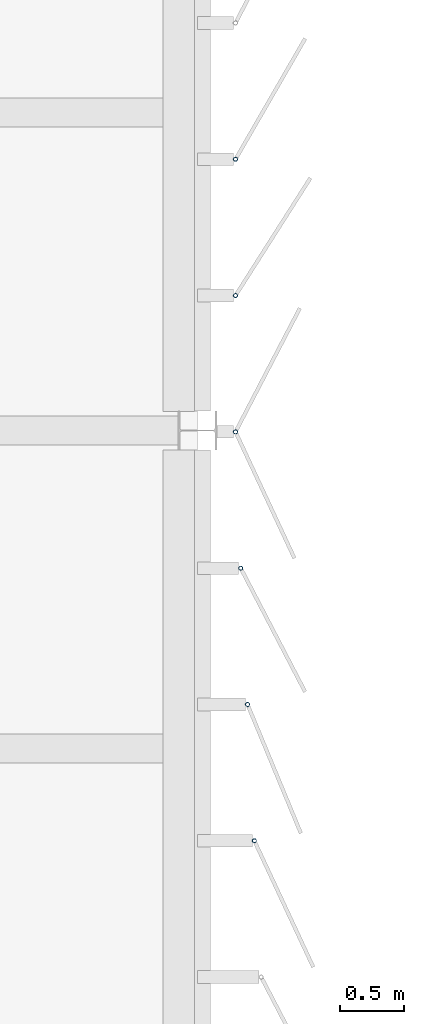
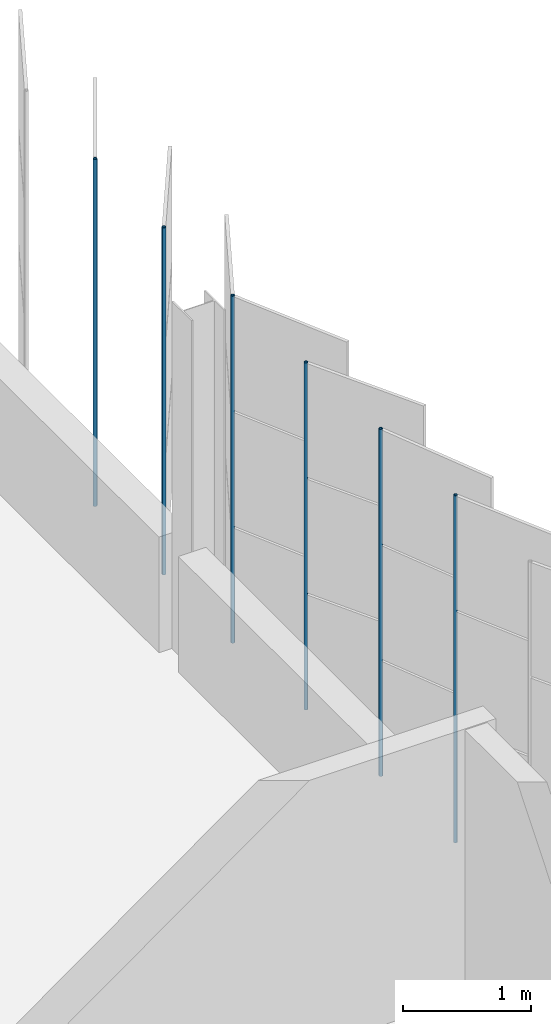
# One storey, part 96 of 199: 6 discrete accessories.
"""IFC4 building model written with IfcOpenShell, lengths in metres."""

from ifc_helpers import new_model, si_unit, direction, frame, origin, origin_2d, place, context, subcontext, project, spatial, hollow_circle, extrude, material, material_profile, profile_set, type_object, element, save


model = new_model("IFC4")

# Units and contexts
model_context = context("Model", 3, precision=1e-05, world=origin(), true_north=direction((0.0, 1.0)))
body_context = subcontext(model_context, "Body", "Model", "MODEL_VIEW")
ifc_project = project(units=[si_unit("LENGTHUNIT", "METRE"), si_unit("AREAUNIT", "SQUARE_METRE"), si_unit("VOLUMEUNIT", "CUBIC_METRE"), si_unit("PLANEANGLEUNIT", "RADIAN"), si_unit("MASSUNIT", "GRAM", prefix="KILO")], contexts=[model_context])

# Site, building, storey
site_placement = place(None, origin())
site = spatial("IfcSite", under=ifc_project, at=site_placement, CompositionType="ELEMENT")
building_placement = place(site_placement, origin())
building = spatial("IfcBuilding", under=site, at=building_placement, Name="Parallax Yard Mobility Hub", CompositionType="ELEMENT")
storey_placement = place(building_placement, frame((0.0, 0.0, 9.89990234375)))
storey = spatial("IfcBuildingStorey", under=building, at=storey_placement, Name="L03", CompositionType="ELEMENT", Elevation=9.89990234375)

# Discrete accessories
ifc_material = material(Name="Steel ASTM A500 Gr C, hot-dip galvanised", Category="steel")
ifc_material_profile = material_profile(ifc_material, hollow_circle(Radius=0.016845703125, WallThickness=0.003173828125, at=origin_2d()), Name="CHS 33.7x3.2")
ifc_profile_set = profile_set([ifc_material_profile], Name="Steel ASTM A500 Gr C, hot-dip galvanised")
discrete_accessory_type = type_object("IfcDiscreteAccessoryType", Name="Hinge post CHS 33.7x3.2", PredefinedType="BRACKET", material=ifc_profile_set)
for number, where, z_axis, x_axis, name in (
    (1, (225.4482421875, 41.774658203125, 0.0), (0.0, 0.0, 1.0), (1.0, 0.0, 0.0), "Hinge post bay 34.5 level L03"),
    (2, (225.39453125, 42.84619140625, 0.0), (0.0, 0.0, 1.0), (1.0, 0.0, 0.0), "Hinge post bay 34.6 level L03"),
    (3, (225.341064453125, 43.91796875, 0.0), (0.0, 0.0, 1.0), (1.0, 0.0, 0.0), "Hinge post bay 34.7 level L03"),
    (4, (225.300048828125, 44.98974609375, 0.0), (0.0, 0.0, 1.0), (1.0, 0.0, 0.0), "Hinge post bay 35.1 level L03"),
    (5, (225.300048828125, 46.0615234375, 0.0), (0.0, 0.0, 1.0), (1.0, 0.0, 0.0), "Hinge post bay 35.2 level L03"),
    (6, (225.300048828125, 47.13330078125, 0.0), (0.0, 0.0, 1.0), (1.0, 0.0, 0.0), "Hinge post bay 35.3 level L03"),
):
    element("IfcDiscreteAccessory", number, at=place(storey_placement, frame(where, z_axis=z_axis, x_axis=x_axis)), inside=storey, type_object=discrete_accessory_type, Name=name, PredefinedType="BRACKET", context=body_context, shape_type="SweptSolid", body=[
        extrude(hollow_circle(Radius=0.016845703125, WallThickness=0.003173828125, at=origin_2d()), origin(), (0.0, 0.0, 1.0), 3.300048828125),
    ])

save(model, "model.ifc")
